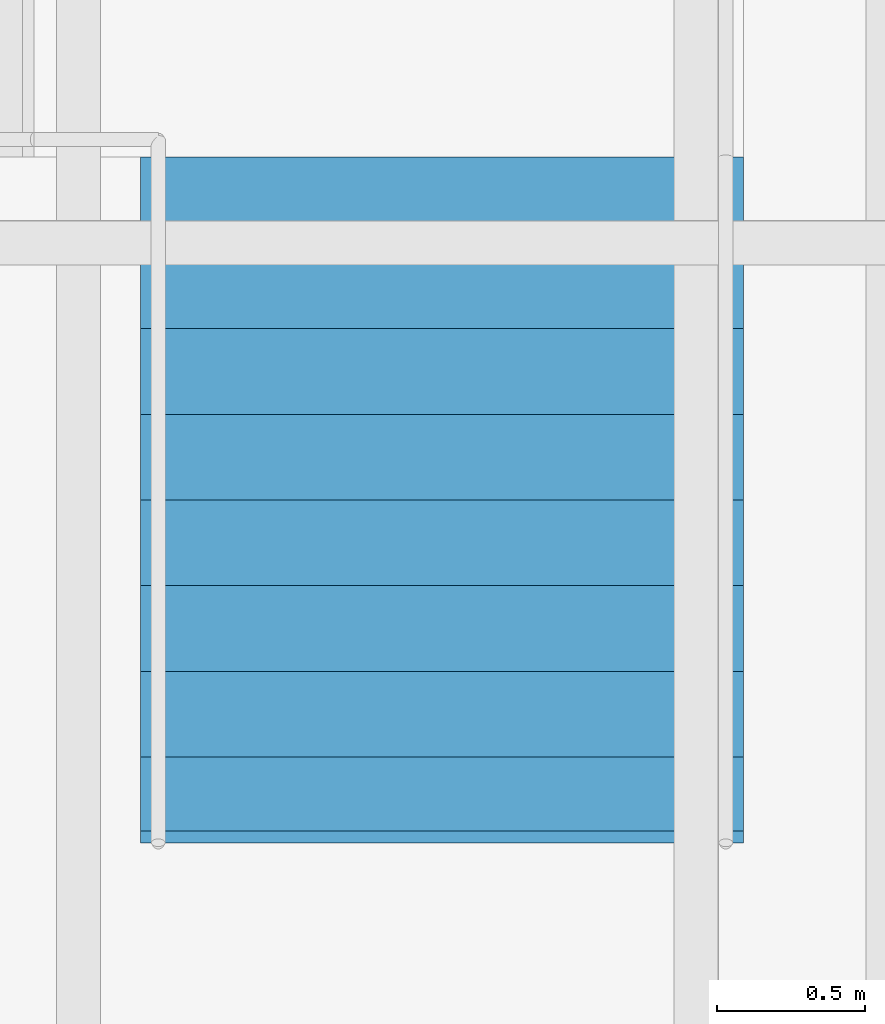
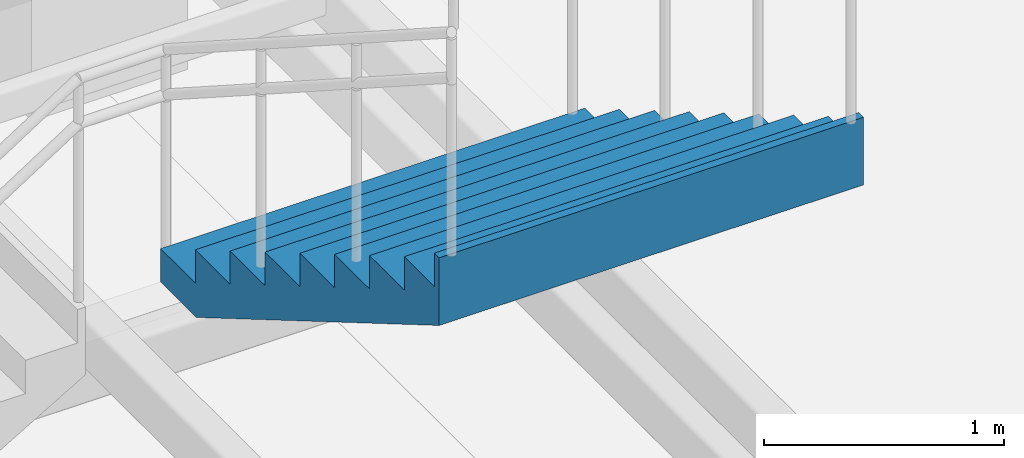
# One storey, part 47 of 58: 1 stair flight, 1 element without a shape of its own.
"""IFC4 building model written with IfcOpenShell, lengths in metres."""

from ifc_helpers import new_model, si_unit, direction, frame, origin, place, context, subcontext, project, spatial, triangles, material, type_object, element, aggregate, save


model = new_model("IFC4")

# Units and contexts
model_context = context("Model", 3, precision=1e-05, world=origin(), true_north=direction((0.0, 1.0)))
body_context = subcontext(model_context, "Body", "Model", "MODEL_VIEW")
ifc_project = project(units=[si_unit("LENGTHUNIT", "METRE"), si_unit("AREAUNIT", "SQUARE_METRE"), si_unit("VOLUMEUNIT", "CUBIC_METRE"), si_unit("PLANEANGLEUNIT", "RADIAN"), si_unit("MASSUNIT", "GRAM", prefix="KILO")], contexts=[model_context])

# Site, building, storey
site_placement = place(None, origin())
site = spatial("IfcSite", under=ifc_project, at=site_placement, CompositionType="ELEMENT")
building_placement = place(site_placement, origin())
building = spatial("IfcBuilding", under=site, at=building_placement, Name="Sillaruma Civic Art Gallery", CompositionType="ELEMENT")
storey_placement = place(building_placement, frame((0.0, 0.0, 28.56005859375)))
storey = spatial("IfcBuildingStorey", under=building, at=storey_placement, Name="L05", CompositionType="ELEMENT", Elevation=28.56005859375)

# Stair, stair flight
ifc_material = material(Name="Concrete H35 (35 MPa)", Category="concrete")
stair_type = type_object("IfcStairType", Name="STR-3F-27", PredefinedType="TWO_QUARTER_TURN_STAIR", material=ifc_material)
stair_placement = place(storey_placement, origin())
stair = element("IfcStair", 1, at=stair_placement, inside=storey, type_object=stair_type, Name="Monumental Gallery Feature Stair ST-G02 (L05)", PredefinedType="TWO_QUARTER_TURN_STAIR")
stair_flight_type = type_object("IfcStairFlightType", Name="SFL-STR-9", PredefinedType="STRAIGHT", material=ifc_material)
stair_flight_placement = place(storey_placement, frame((90.340087890625, 34.159912109375, 3.06005859375), z_axis=(0.0, 0.0, 1.0), x_axis=(0.0, -1.0, 0.0)))
stair_flight = element("IfcStairFlight", 2, at=stair_flight_placement, type_object=stair_flight_type, Name="ST-G02 flight 3", NumberOfRisers=9, NumberOfTreads=8, PredefinedType="STRAIGHT", RiserHeight=0.17, TreadLength=0.29, context=body_context, shape_type="Tessellation", body=[
    triangles([(0.0, -1.02001953125, 0.0), (0.29, -1.02001953125, 0.0), (0.296482, -1.02001953125, 0.0), (0.58, -1.02001953125, 0.1662), (0.87, -1.02001953125, 0.3362), (1.16, -1.02001953125, 0.5062), (1.45, -1.02001953125, 0.6762), (1.74, -1.02001953125, 0.8462), (2.03, -1.02001953125, 1.0162), (2.280068, -1.02001953125, 1.162792), (2.320068, -1.02001953125, 1.18624), (2.320068, -1.02001953125, 1.53), (2.280068, -1.02001953125, 1.53), (2.280068, -1.02001953125, 1.36), (2.03, -1.02001953125, 1.36), (2.03, -1.02001953125, 1.19), (1.74, -1.02001953125, 1.19), (1.74, -1.02001953125, 1.02), (1.45, -1.02001953125, 1.02), (1.45, -1.02001953125, 0.85), (1.16, -1.02001953125, 0.85), (1.16, -1.02001953125, 0.68), (0.87, -1.02001953125, 0.68), (0.87, -1.02001953125, 0.51), (0.58, -1.02001953125, 0.51), (0.58, -1.02001953125, 0.34), (0.296482, -1.02001953125, 0.34), (0.29, -1.02001953125, 0.34), (0.29, -1.02001953125, 0.17), (0.0, -1.02001953125, 0.17), (0.0, -0.05, 0.0), (0.29, -0.05, 0.0), (0.296482, -0.05, 0.0), (0.58, -0.05, 0.1662), (0.87, -0.05, 0.3362), (1.16, -0.05, 0.5062), (1.45, -0.05, 0.6762), (1.74, -0.05, 0.8462), (2.03, -0.05, 1.0162), (2.280068, -0.05, 1.162792), (2.320068, -0.05, 1.18624), (2.320068, -0.05, 1.53), (2.280068, -0.05, 1.53), (2.280068, -0.05, 1.36), (2.03, -0.05, 1.36), (2.03, -0.05, 1.19), (1.74, -0.05, 1.19), (1.74, -0.05, 1.02), (1.45, -0.05, 1.02), (1.45, -0.05, 0.85), (1.16, -0.05, 0.85), (1.16, -0.05, 0.68), (0.87, -0.05, 0.68), (0.87, -0.05, 0.51), (0.58, -0.05, 0.51), (0.58, -0.05, 0.34), (0.296482, -0.05, 0.34), (0.29, -0.05, 0.34), (0.29, -0.05, 0.17), (0.0, -0.05, 0.17), (0.0, -0.0375, 0.0), (0.29, -0.0375, 0.0), (0.296482, -0.0375, 0.0), (0.58, -0.0375, 0.1662), (0.87, -0.0375, 0.3362), (1.16, -0.0375, 0.5062), (1.45, -0.0375, 0.6762), (1.74, -0.0375, 0.8462), (2.03, -0.0375, 1.0162), (2.280068, -0.0375, 1.162792), (2.320068, -0.0375, 1.18624), (2.320068, -0.0375, 1.53), (2.280068, -0.0375, 1.53), (2.280068, -0.0375, 1.36), (2.03, -0.0375, 1.36), (2.03, -0.0375, 1.19), (1.74, -0.0375, 1.19), (1.74, -0.0375, 1.02), (1.45, -0.0375, 1.02), (1.45, -0.0375, 0.85), (1.16, -0.0375, 0.85), (1.16, -0.0375, 0.68), (0.87, -0.0375, 0.68), (0.87, -0.0375, 0.51), (0.58, -0.0375, 0.51), (0.58, -0.0375, 0.34), (0.296482, -0.0375, 0.34), (0.29, -0.0375, 0.34), (0.29, -0.0375, 0.17), (0.0, -0.0375, 0.17), (0.0, -0.025, 0.0), (0.29, -0.025, 0.0), (0.296482, -0.025, 0.0), (0.58, -0.025, 0.1662), (0.87, -0.025, 0.3362), (1.16, -0.025, 0.5062), (1.45, -0.025, 0.6762), (1.74, -0.025, 0.8462), (2.03, -0.025, 1.0162), (2.280068, -0.025, 1.162792), (2.320068, -0.025, 1.18624), (2.320068, -0.025, 1.53), (2.280068, -0.025, 1.53), (2.280068, -0.025, 1.36), (2.03, -0.025, 1.36), (2.03, -0.025, 1.19), (1.74, -0.025, 1.19), (1.74, -0.025, 1.02), (1.45, -0.025, 1.02), (1.45, -0.025, 0.85), (1.16, -0.025, 0.85), (1.16, -0.025, 0.68), (0.87, -0.025, 0.68), (0.87, -0.025, 0.51), (0.58, -0.025, 0.51), (0.58, -0.025, 0.34), (0.296482, -0.025, 0.34), (0.29, -0.025, 0.34), (0.29, -0.025, 0.17), (0.0, -0.025, 0.17), (0.0, -0.0125, 0.0), (0.29, -0.0125, 0.0), (0.296482, -0.0125, 0.0), (0.58, -0.0125, 0.1662), (0.87, -0.0125, 0.3362), (1.16, -0.0125, 0.5062), (1.45, -0.0125, 0.6762), (1.74, -0.0125, 0.8462), (2.03, -0.0125, 1.0162), (2.280068, -0.0125, 1.162792), (2.320068, -0.0125, 1.18624), (2.320068, -0.0125, 1.53), (2.280068, -0.0125, 1.53), (2.280068, -0.0125, 1.36), (2.03, -0.0125, 1.36), (2.03, -0.0125, 1.19), (1.74, -0.0125, 1.19), (1.74, -0.0125, 1.02), (1.45, -0.0125, 1.02), (1.45, -0.0125, 0.85), (1.16, -0.0125, 0.85), (1.16, -0.0125, 0.68), (0.87, -0.0125, 0.68), (0.87, -0.0125, 0.51), (0.58, -0.0125, 0.51), (0.58, -0.0125, 0.34), (0.296482, -0.0125, 0.34), (0.29, -0.0125, 0.34), (0.29, -0.0125, 0.17), (0.0, -0.0125, 0.17), (0.0, 0.0, 0.0), (0.29, 0.0, 0.0), (0.296482, 0.0, 0.0), (0.58, 0.0, 0.1662), (0.87, 0.0, 0.3362), (1.16, 0.0, 0.5062), (1.45, 0.0, 0.6762), (1.74, 0.0, 0.8462), (2.03, 0.0, 1.0162), (2.280068, 0.0, 1.162792), (2.320068, 0.0, 1.18624), (2.320068, 0.0, 1.53), (2.280068, 0.0, 1.53), (2.280068, 0.0, 1.36), (2.03, 0.0, 1.36), (2.03, 0.0, 1.19), (1.74, 0.0, 1.19), (1.74, 0.0, 1.02), (1.45, 0.0, 1.02), (1.45, 0.0, 0.85), (1.16, 0.0, 0.85), (1.16, 0.0, 0.68), (0.87, 0.0, 0.68), (0.87, 0.0, 0.51), (0.58, 0.0, 0.51), (0.58, 0.0, 0.34), (0.296482, 0.0, 0.34), (0.29, 0.0, 0.34), (0.29, 0.0, 0.17), (0.0, 0.0, 0.17), (0.0, 0.0125, 0.0), (0.29, 0.0125, 0.0), (0.296482, 0.0125, 0.0), (0.58, 0.0125, 0.1662), (0.87, 0.0125, 0.3362), (1.16, 0.0125, 0.5062), (1.45, 0.0125, 0.6762), (1.74, 0.0125, 0.8462), (2.03, 0.0125, 1.0162), (2.280068, 0.0125, 1.162792), (2.320068, 0.0125, 1.18624), (2.320068, 0.0125, 1.53), (2.280068, 0.0125, 1.53), (2.280068, 0.0125, 1.36), (2.03, 0.0125, 1.36), (2.03, 0.0125, 1.19), (1.74, 0.0125, 1.19), (1.74, 0.0125, 1.02), (1.45, 0.0125, 1.02), (1.45, 0.0125, 0.85), (1.16, 0.0125, 0.85), (1.16, 0.0125, 0.68), (0.87, 0.0125, 0.68), (0.87, 0.0125, 0.51), (0.58, 0.0125, 0.51), (0.58, 0.0125, 0.34), (0.296482, 0.0125, 0.34), (0.29, 0.0125, 0.34), (0.29, 0.0125, 0.17), (0.0, 0.0125, 0.17), (0.0, 0.025, 0.0), (0.29, 0.025, 0.0), (0.296482, 0.025, 0.0), (0.58, 0.025, 0.1662), (0.87, 0.025, 0.3362), (1.16, 0.025, 0.5062), (1.45, 0.025, 0.6762), (1.74, 0.025, 0.8462), (2.03, 0.025, 1.0162), (2.280068, 0.025, 1.162792), (2.320068, 0.025, 1.18624), (2.320068, 0.025, 1.53), (2.280068, 0.025, 1.53), (2.280068, 0.025, 1.36), (2.03, 0.025, 1.36), (2.03, 0.025, 1.19), (1.74, 0.025, 1.19), (1.74, 0.025, 1.02), (1.45, 0.025, 1.02), (1.45, 0.025, 0.85), (1.16, 0.025, 0.85), (1.16, 0.025, 0.68), (0.87, 0.025, 0.68), (0.87, 0.025, 0.51), (0.58, 0.025, 0.51), (0.58, 0.025, 0.34), (0.296482, 0.025, 0.34), (0.29, 0.025, 0.34), (0.29, 0.025, 0.17), (0.0, 0.025, 0.17), (0.0, 0.0375, 0.0), (0.29, 0.0375, 0.0), (0.296482, 0.0375, 0.0), (0.58, 0.0375, 0.1662), (0.87, 0.0375, 0.3362), (1.16, 0.0375, 0.5062), (1.45, 0.0375, 0.6762), (1.74, 0.0375, 0.8462), (2.03, 0.0375, 1.0162), (2.280068, 0.0375, 1.162792), (2.320068, 0.0375, 1.18624), (2.320068, 0.0375, 1.53), (2.280068, 0.0375, 1.53), (2.280068, 0.0375, 1.36), (2.03, 0.0375, 1.36), (2.03, 0.0375, 1.19), (1.74, 0.0375, 1.19), (1.74, 0.0375, 1.02), (1.45, 0.0375, 1.02), (1.45, 0.0375, 0.85), (1.16, 0.0375, 0.85), (1.16, 0.0375, 0.68), (0.87, 0.0375, 0.68), (0.87, 0.0375, 0.51), (0.58, 0.0375, 0.51), (0.58, 0.0375, 0.34), (0.296482, 0.0375, 0.34), (0.29, 0.0375, 0.34), (0.29, 0.0375, 0.17), (0.0, 0.0375, 0.17), (0.0, 0.05, 0.0), (0.29, 0.05, 0.0), (0.296482, 0.05, 0.0), (0.58, 0.05, 0.1662), (0.87, 0.05, 0.3362), (1.16, 0.05, 0.5062), (1.45, 0.05, 0.6762), (1.74, 0.05, 0.8462), (2.03, 0.05, 1.0162), (2.280068, 0.05, 1.162792), (2.320068, 0.05, 1.18624), (2.320068, 0.05, 1.53), (2.280068, 0.05, 1.53), (2.280068, 0.05, 1.36), (2.03, 0.05, 1.36), (2.03, 0.05, 1.19), (1.74, 0.05, 1.19), (1.74, 0.05, 1.02), (1.45, 0.05, 1.02), (1.45, 0.05, 0.85), (1.16, 0.05, 0.85), (1.16, 0.05, 0.68), (0.87, 0.05, 0.68), (0.87, 0.05, 0.51), (0.58, 0.05, 0.51), (0.58, 0.05, 0.34), (0.296482, 0.05, 0.34), (0.29, 0.05, 0.34), (0.29, 0.05, 0.17), (0.0, 0.05, 0.17), (0.0, 1.02001953125, 0.0), (0.29, 1.02001953125, 0.0), (0.296482, 1.02001953125, 0.0), (0.58, 1.02001953125, 0.1662), (0.87, 1.02001953125, 0.3362), (1.16, 1.02001953125, 0.5062), (1.45, 1.02001953125, 0.6762), (1.74, 1.02001953125, 0.8462), (2.03, 1.02001953125, 1.0162), (2.280068, 1.02001953125, 1.162792), (2.320068, 1.02001953125, 1.18624), (2.320068, 1.02001953125, 1.53), (2.280068, 1.02001953125, 1.53), (2.280068, 1.02001953125, 1.36), (2.03, 1.02001953125, 1.36), (2.03, 1.02001953125, 1.19), (1.74, 1.02001953125, 1.19), (1.74, 1.02001953125, 1.02), (1.45, 1.02001953125, 1.02), (1.45, 1.02001953125, 0.85), (1.16, 1.02001953125, 0.85), (1.16, 1.02001953125, 0.68), (0.87, 1.02001953125, 0.68), (0.87, 1.02001953125, 0.51), (0.58, 1.02001953125, 0.51), (0.58, 1.02001953125, 0.34), (0.296482, 1.02001953125, 0.34), (0.29, 1.02001953125, 0.34), (0.29, 1.02001953125, 0.17), (0.0, 1.02001953125, 0.17)], [[1, 2, 29], [1, 29, 30], [2, 3, 27], [2, 27, 29], [29, 27, 28], [3, 4, 26], [3, 26, 27], [4, 5, 24], [4, 24, 26], [26, 24, 25], [5, 6, 22], [5, 22, 24], [24, 22, 23], [6, 7, 20], [6, 20, 22], [22, 20, 21], [7, 8, 18], [7, 18, 20], [20, 18, 19], [8, 9, 16], [8, 16, 18], [18, 16, 17], [9, 10, 14], [9, 14, 16], [16, 14, 15], [10, 11, 12], [10, 12, 14], [14, 12, 13], [329, 302, 301], [330, 329, 301], [327, 303, 302], [329, 327, 302], [328, 327, 329], [326, 304, 303], [327, 326, 303], [324, 305, 304], [326, 324, 304], [325, 324, 326], [322, 306, 305], [324, 322, 305], [323, 322, 324], [320, 307, 306], [322, 320, 306], [321, 320, 322], [318, 308, 307], [320, 318, 307], [319, 318, 320], [316, 309, 308], [318, 316, 308], [317, 316, 318], [314, 310, 309], [316, 314, 309], [315, 314, 316], [312, 311, 310], [314, 312, 310], [313, 312, 314], [2, 1, 31], [2, 31, 32], [3, 2, 32], [3, 32, 33], [4, 3, 33], [4, 33, 34], [5, 4, 34], [5, 34, 35], [6, 5, 35], [6, 35, 36], [7, 6, 36], [7, 36, 37], [8, 7, 37], [8, 37, 38], [9, 8, 38], [9, 38, 39], [10, 9, 39], [10, 39, 40], [11, 10, 40], [11, 40, 41], [12, 11, 41], [12, 41, 42], [13, 12, 42], [13, 42, 43], [14, 13, 43], [14, 43, 44], [15, 14, 44], [15, 44, 45], [16, 15, 45], [16, 45, 46], [17, 16, 46], [17, 46, 47], [18, 17, 47], [18, 47, 48], [19, 18, 48], [19, 48, 49], [20, 19, 49], [20, 49, 50], [21, 20, 50], [21, 50, 51], [22, 21, 51], [22, 51, 52], [23, 22, 52], [23, 52, 53], [24, 23, 53], [24, 53, 54], [25, 24, 54], [25, 54, 55], [26, 25, 55], [26, 55, 56], [27, 26, 56], [27, 56, 57], [28, 27, 57], [28, 57, 58], [29, 28, 58], [29, 58, 59], [30, 29, 59], [30, 59, 60], [1, 30, 60], [1, 60, 31], [32, 31, 61], [32, 61, 62], [33, 32, 62], [33, 62, 63], [34, 33, 63], [34, 63, 64], [35, 34, 64], [35, 64, 65], [36, 35, 65], [36, 65, 66], [37, 36, 66], [37, 66, 67], [38, 37, 67], [38, 67, 68], [39, 38, 68], [39, 68, 69], [40, 39, 69], [40, 69, 70], [41, 40, 70], [41, 70, 71], [42, 41, 71], [42, 71, 72], [43, 42, 72], [43, 72, 73], [44, 43, 73], [44, 73, 74], [45, 44, 74], [45, 74, 75], [46, 45, 75], [46, 75, 76], [47, 46, 76], [47, 76, 77], [48, 47, 77], [48, 77, 78], [49, 48, 78], [49, 78, 79], [50, 49, 79], [50, 79, 80], [51, 50, 80], [51, 80, 81], [52, 51, 81], [52, 81, 82], [53, 52, 82], [53, 82, 83], [54, 53, 83], [54, 83, 84], [55, 54, 84], [55, 84, 85], [56, 55, 85], [56, 85, 86], [57, 56, 86], [57, 86, 87], [58, 57, 87], [58, 87, 88], [59, 58, 88], [59, 88, 89], [60, 59, 89], [60, 89, 90], [31, 60, 90], [31, 90, 61], [62, 61, 91], [62, 91, 92], [63, 62, 92], [63, 92, 93], [64, 63, 93], [64, 93, 94], [65, 64, 94], [65, 94, 95], [66, 65, 95], [66, 95, 96], [67, 66, 96], [67, 96, 97], [68, 67, 97], [68, 97, 98], [69, 68, 98], [69, 98, 99], [70, 69, 99], [70, 99, 100], [71, 70, 100], [71, 100, 101], [72, 71, 101], [72, 101, 102], [73, 72, 102], [73, 102, 103], [74, 73, 103], [74, 103, 104], [75, 74, 104], [75, 104, 105], [76, 75, 105], [76, 105, 106], [77, 76, 106], [77, 106, 107], [78, 77, 107], [78, 107, 108], [79, 78, 108], [79, 108, 109], [80, 79, 109], [80, 109, 110], [81, 80, 110], [81, 110, 111], [82, 81, 111], [82, 111, 112], [83, 82, 112], [83, 112, 113], [84, 83, 113], [84, 113, 114], [85, 84, 114], [85, 114, 115], [86, 85, 115], [86, 115, 116], [87, 86, 116], [87, 116, 117], [88, 87, 117], [88, 117, 118], [89, 88, 118], [89, 118, 119], [90, 89, 119], [90, 119, 120], [61, 90, 120], [61, 120, 91], [92, 91, 121], [92, 121, 122], [93, 92, 122], [93, 122, 123], [94, 93, 123], [94, 123, 124], [95, 94, 124], [95, 124, 125], [96, 95, 125], [96, 125, 126], [97, 96, 126], [97, 126, 127], [98, 97, 127], [98, 127, 128], [99, 98, 128], [99, 128, 129], [100, 99, 129], [100, 129, 130], [101, 100, 130], [101, 130, 131], [102, 101, 131], [102, 131, 132], [103, 102, 132], [103, 132, 133], [104, 103, 133], [104, 133, 134], [105, 104, 134], [105, 134, 135], [106, 105, 135], [106, 135, 136], [107, 106, 136], [107, 136, 137], [108, 107, 137], [108, 137, 138], [109, 108, 138], [109, 138, 139], [110, 109, 139], [110, 139, 140], [111, 110, 140], [111, 140, 141], [112, 111, 141], [112, 141, 142], [113, 112, 142], [113, 142, 143], [114, 113, 143], [114, 143, 144], [115, 114, 144], [115, 144, 145], [116, 115, 145], [116, 145, 146], [117, 116, 146], [117, 146, 147], [118, 117, 147], [118, 147, 148], [119, 118, 148], [119, 148, 149], [120, 119, 149], [120, 149, 150], [91, 120, 150], [91, 150, 121], [122, 121, 151], [122, 151, 152], [123, 122, 152], [123, 152, 153], [124, 123, 153], [124, 153, 154], [125, 124, 154], [125, 154, 155], [126, 125, 155], [126, 155, 156], [127, 126, 156], [127, 156, 157], [128, 127, 157], [128, 157, 158], [129, 128, 158], [129, 158, 159], [130, 129, 159], [130, 159, 160], [131, 130, 160], [131, 160, 161], [132, 131, 161], [132, 161, 162], [133, 132, 162], [133, 162, 163], [134, 133, 163], [134, 163, 164], [135, 134, 164], [135, 164, 165], [136, 135, 165], [136, 165, 166], [137, 136, 166], [137, 166, 167], [138, 137, 167], [138, 167, 168], [139, 138, 168], [139, 168, 169], [140, 139, 169], [140, 169, 170], [141, 140, 170], [141, 170, 171], [142, 141, 171], [142, 171, 172], [143, 142, 172], [143, 172, 173], [144, 143, 173], [144, 173, 174], [145, 144, 174], [145, 174, 175], [146, 145, 175], [146, 175, 176], [147, 146, 176], [147, 176, 177], [148, 147, 177], [148, 177, 178], [149, 148, 178], [149, 178, 179], [150, 149, 179], [150, 179, 180], [121, 150, 180], [121, 180, 151], [152, 151, 181], [152, 181, 182], [153, 152, 182], [153, 182, 183], [154, 153, 183], [154, 183, 184], [155, 154, 184], [155, 184, 185], [156, 155, 185], [156, 185, 186], [157, 156, 186], [157, 186, 187], [158, 157, 187], [158, 187, 188], [159, 158, 188], [159, 188, 189], [160, 159, 189], [160, 189, 190], [161, 160, 190], [161, 190, 191], [162, 161, 191], [162, 191, 192], [163, 162, 192], [163, 192, 193], [164, 163, 193], [164, 193, 194], [165, 164, 194], [165, 194, 195], [166, 165, 195], [166, 195, 196], [167, 166, 196], [167, 196, 197], [168, 167, 197], [168, 197, 198], [169, 168, 198], [169, 198, 199], [170, 169, 199], [170, 199, 200], [171, 170, 200], [171, 200, 201], [172, 171, 201], [172, 201, 202], [173, 172, 202], [173, 202, 203], [174, 173, 203], [174, 203, 204], [175, 174, 204], [175, 204, 205], [176, 175, 205], [176, 205, 206], [177, 176, 206], [177, 206, 207], [178, 177, 207], [178, 207, 208], [179, 178, 208], [179, 208, 209], [180, 179, 209], [180, 209, 210], [151, 180, 210], [151, 210, 181], [182, 181, 211], [182, 211, 212], [183, 182, 212], [183, 212, 213], [184, 183, 213], [184, 213, 214], [185, 184, 214], [185, 214, 215], [186, 185, 215], [186, 215, 216], [187, 186, 216], [187, 216, 217], [188, 187, 217], [188, 217, 218], [189, 188, 218], [189, 218, 219], [190, 189, 219], [190, 219, 220], [191, 190, 220], [191, 220, 221], [192, 191, 221], [192, 221, 222], [193, 192, 222], [193, 222, 223], [194, 193, 223], [194, 223, 224], [195, 194, 224], [195, 224, 225], [196, 195, 225], [196, 225, 226], [197, 196, 226], [197, 226, 227], [198, 197, 227], [198, 227, 228], [199, 198, 228], [199, 228, 229], [200, 199, 229], [200, 229, 230], [201, 200, 230], [201, 230, 231], [202, 201, 231], [202, 231, 232], [203, 202, 232], [203, 232, 233], [204, 203, 233], [204, 233, 234], [205, 204, 234], [205, 234, 235], [206, 205, 235], [206, 235, 236], [207, 206, 236], [207, 236, 237], [208, 207, 237], [208, 237, 238], [209, 208, 238], [209, 238, 239], [210, 209, 239], [210, 239, 240], [181, 210, 240], [181, 240, 211], [212, 211, 241], [212, 241, 242], [213, 212, 242], [213, 242, 243], [214, 213, 243], [214, 243, 244], [215, 214, 244], [215, 244, 245], [216, 215, 245], [216, 245, 246], [217, 216, 246], [217, 246, 247], [218, 217, 247], [218, 247, 248], [219, 218, 248], [219, 248, 249], [220, 219, 249], [220, 249, 250], [221, 220, 250], [221, 250, 251], [222, 221, 251], [222, 251, 252], [223, 222, 252], [223, 252, 253], [224, 223, 253], [224, 253, 254], [225, 224, 254], [225, 254, 255], [226, 225, 255], [226, 255, 256], [227, 226, 256], [227, 256, 257], [228, 227, 257], [228, 257, 258], [229, 228, 258], [229, 258, 259], [230, 229, 259], [230, 259, 260], [231, 230, 260], [231, 260, 261], [232, 231, 261], [232, 261, 262], [233, 232, 262], [233, 262, 263], [234, 233, 263], [234, 263, 264], [235, 234, 264], [235, 264, 265], [236, 235, 265], [236, 265, 266], [237, 236, 266], [237, 266, 267], [238, 237, 267], [238, 267, 268], [239, 238, 268], [239, 268, 269], [240, 239, 269], [240, 269, 270], [211, 240, 270], [211, 270, 241], [242, 241, 271], [242, 271, 272], [243, 242, 272], [243, 272, 273], [244, 243, 273], [244, 273, 274], [245, 244, 274], [245, 274, 275], [246, 245, 275], [246, 275, 276], [247, 246, 276], [247, 276, 277], [248, 247, 277], [248, 277, 278], [249, 248, 278], [249, 278, 279], [250, 249, 279], [250, 279, 280], [251, 250, 280], [251, 280, 281], [252, 251, 281], [252, 281, 282], [253, 252, 282], [253, 282, 283], [254, 253, 283], [254, 283, 284], [255, 254, 284], [255, 284, 285], [256, 255, 285], [256, 285, 286], [257, 256, 286], [257, 286, 287], [258, 257, 287], [258, 287, 288], [259, 258, 288], [259, 288, 289], [260, 259, 289], [260, 289, 290], [261, 260, 290], [261, 290, 291], [262, 261, 291], [262, 291, 292], [263, 262, 292], [263, 292, 293], [264, 263, 293], [264, 293, 294], [265, 264, 294], [265, 294, 295], [266, 265, 295], [266, 295, 296], [267, 266, 296], [267, 296, 297], [268, 267, 297], [268, 297, 298], [269, 268, 298], [269, 298, 299], [270, 269, 299], [270, 299, 300], [241, 270, 300], [241, 300, 271], [272, 271, 301], [272, 301, 302], [273, 272, 302], [273, 302, 303], [274, 273, 303], [274, 303, 304], [275, 274, 304], [275, 304, 305], [276, 275, 305], [276, 305, 306], [277, 276, 306], [277, 306, 307], [278, 277, 307], [278, 307, 308], [279, 278, 308], [279, 308, 309], [280, 279, 309], [280, 309, 310], [281, 280, 310], [281, 310, 311], [282, 281, 311], [282, 311, 312], [283, 282, 312], [283, 312, 313], [284, 283, 313], [284, 313, 314], [285, 284, 314], [285, 314, 315], [286, 285, 315], [286, 315, 316], [287, 286, 316], [287, 316, 317], [288, 287, 317], [288, 317, 318], [289, 288, 318], [289, 318, 319], [290, 289, 319], [290, 319, 320], [291, 290, 320], [291, 320, 321], [292, 291, 321], [292, 321, 322], [293, 292, 322], [293, 322, 323], [294, 293, 323], [294, 323, 324], [295, 294, 324], [295, 324, 325], [296, 295, 325], [296, 325, 326], [297, 296, 326], [297, 326, 327], [298, 297, 327], [298, 327, 328], [299, 298, 328], [299, 328, 329], [300, 299, 329], [300, 329, 330], [271, 300, 330], [271, 330, 301]], closed=True),
])
aggregate(stair, [stair_flight])

save(model, "model.ifc")
